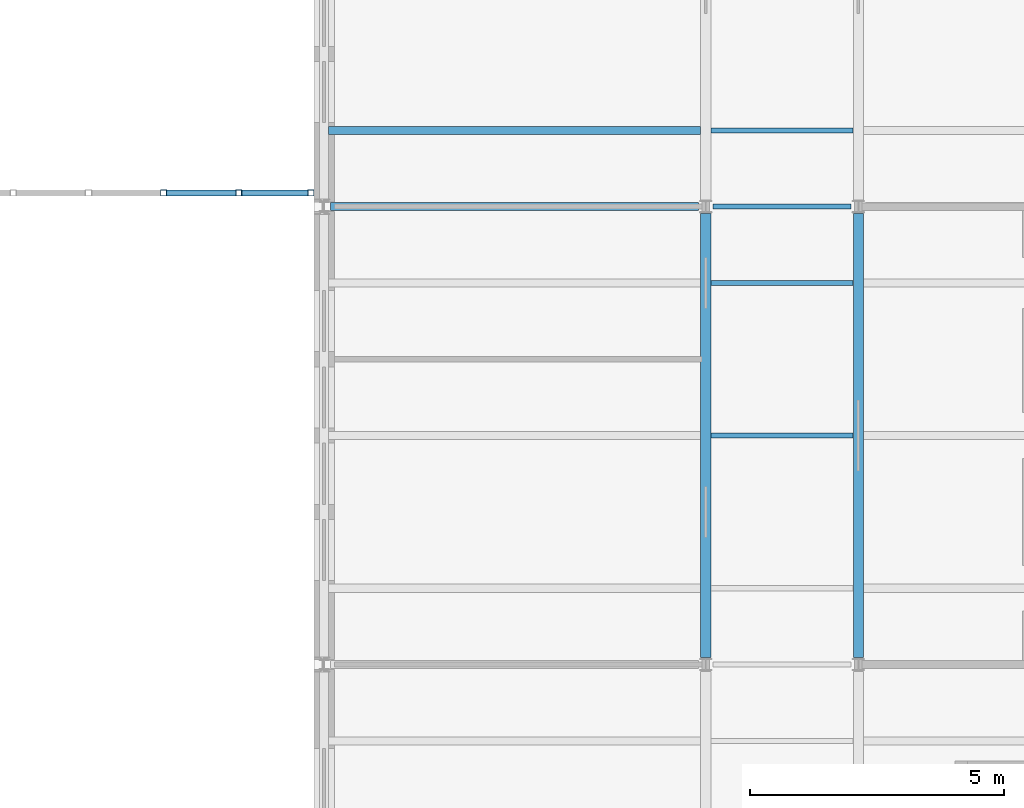
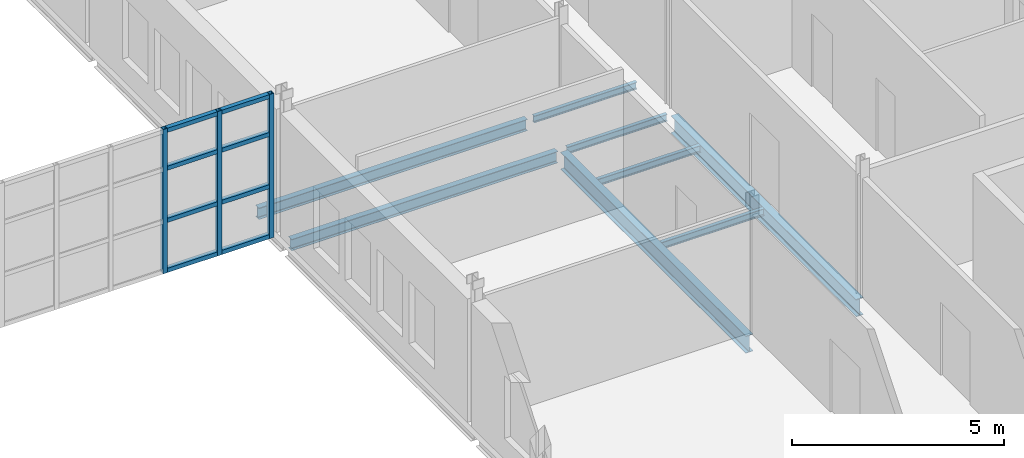
# One storey, part 28 of 154: 11 members, 8 beams, 1 element without a shape of its own.
"""IFC4 building model written with IfcOpenShell, lengths in metres."""

from ifc_helpers import new_model, si_unit, direction, frame, origin, origin_2d, place, context, subcontext, project, spatial, hollow_rectangle, i_section, extrude, material, material_profile, profile_set, type_object, element, aggregate, save


model = new_model("IFC4")

# Units and contexts
model_context = context("Model", 3, precision=1e-05, world=origin(), true_north=direction((0.0, 1.0)))
body_context = subcontext(model_context, "Body", "Model", "MODEL_VIEW")
ifc_project = project(units=[si_unit("LENGTHUNIT", "METRE"), si_unit("AREAUNIT", "SQUARE_METRE"), si_unit("VOLUMEUNIT", "CUBIC_METRE"), si_unit("PLANEANGLEUNIT", "RADIAN"), si_unit("MASSUNIT", "GRAM", prefix="KILO")], contexts=[model_context])

# Site, building, storey
site_placement = place(None, origin())
site = spatial("IfcSite", under=ifc_project, at=site_placement, CompositionType="ELEMENT")
building_placement = place(site_placement, origin())
building = spatial("IfcBuilding", under=site, at=building_placement, Name="Golden Quay Civic Hall", CompositionType="ELEMENT")
storey_placement = place(building_placement, frame((0.0, 0.0, 14.39990234375)))
storey = spatial("IfcBuildingStorey", under=building, at=storey_placement, Name="L03", CompositionType="ELEMENT", Elevation=14.39990234375)

# Curtain wall, members
ifc_material_1 = material(Name="Fire-resisting glass and steel", Category="steel")
curtain_wall_type = type_object("IfcCurtainWallType", Name="Fire-resisting glazed curtain wall EI 120", PredefinedType="NOTDEFINED", material=ifc_material_1)
curtain_wall_placement = place(storey_placement, origin())
curtain_wall = element("IfcCurtainWall", 1, at=curtain_wall_placement, inside=storey, type_object=curtain_wall_type, Name="CW3 curtain wall", PredefinedType="NOTDEFINED")
ifc_material_2 = material(Name="Steel S355", Category="steel")
ifc_material_profile_1 = material_profile(ifc_material_2, hollow_rectangle(XDim=0.1201171875, YDim=0.1201171875, WallThickness=0.008056640625, at=origin_2d()), Name="SHS 120x120x8")
ifc_profile_set_1 = profile_set([ifc_material_profile_1], Name="Steel S355")
member_type_1 = type_object("IfcMemberType", Name="Fire-resisting steel mullion SHS 120x120x8", PredefinedType="MULLION", material=ifc_profile_set_1)
member_1_placement = place(storey_placement, frame((95.844482421875, 18.27001953125, -0.199951171875), z_axis=(0.0, 0.0, 1.0), x_axis=(0.0, 1.0, 0.0)))
member_1 = element("IfcMember", 2, at=member_1_placement, type_object=member_type_1, Name="CW3 mullion 17", PredefinedType="MULLION", context=body_context, shape_type="SweptSolid", body=[
    extrude(hollow_rectangle(XDim=0.1201171875, YDim=0.1201171875, WallThickness=0.008056640625, at=origin_2d()), origin(), (0.0, 0.0, 1.0), 4.150146484375),
])
member_2_placement = place(storey_placement, frame((97.322265625, 18.27001953125, -0.199951171875), z_axis=(0.0, 0.0, 1.0), x_axis=(0.0, 1.0, 0.0)))
member_2 = element("IfcMember", 3, at=member_2_placement, type_object=member_type_1, Name="CW3 mullion 18", PredefinedType="MULLION", context=body_context, shape_type="SweptSolid", body=[
    extrude(hollow_rectangle(XDim=0.1201171875, YDim=0.1201171875, WallThickness=0.008056640625, at=origin_2d()), origin(), (0.0, 0.0, 1.0), 4.150146484375),
])
member_3_placement = place(storey_placement, frame((98.739990234375, 18.27001953125, -0.199951171875), z_axis=(0.0, 0.0, 1.0), x_axis=(0.0, 1.0, 0.0)))
member_3 = element("IfcMember", 4, at=member_3_placement, type_object=member_type_1, Name="CW3 mullion 19", PredefinedType="MULLION", context=body_context, shape_type="SweptSolid", body=[
    extrude(hollow_rectangle(XDim=0.1201171875, YDim=0.1201171875, WallThickness=0.008056640625, at=origin_2d()), origin(), (0.0, 0.0, 1.0), 4.150146484375),
])
ifc_material_3 = material(Name="Steel S355", Category="steel")
ifc_material_profile_2 = material_profile(ifc_material_3, hollow_rectangle(XDim=0.1201171875, YDim=0.1201171875, WallThickness=0.008056640625, at=origin_2d()), Name="SHS 120x120x8")
ifc_profile_set_2 = profile_set([ifc_material_profile_2], Name="Steel S355")
member_type_2 = type_object("IfcMemberType", Name="Fire-resisting steel transom SHS 120x120x8", PredefinedType="USERDEFINED", material=ifc_profile_set_2)
member_4_placement = place(storey_placement, frame((95.904541015625, 18.27001953125, -0.139892578125), z_axis=(1.0, 0.0, 0.0), x_axis=(0.0, 1.0, 0.0)))
member_4 = element("IfcMember", 5, at=member_4_placement, type_object=member_type_2, Name="CW3 transom 17.1", ObjectType="TRANSOM", PredefinedType="USERDEFINED", context=body_context, shape_type="SweptSolid", body=[
    extrude(hollow_rectangle(XDim=0.1201171875, YDim=0.1201171875, WallThickness=0.008056640625, at=origin_2d()), origin(), (0.0, 0.0, 1.0), 1.357666015625),
])
member_5_placement = place(storey_placement, frame((95.904541015625, 18.27001953125, 1.300048828125), z_axis=(1.0, 0.0, 0.0), x_axis=(0.0, 1.0, 0.0)))
member_5 = element("IfcMember", 6, at=member_5_placement, type_object=member_type_2, Name="CW3 transom 17.2", ObjectType="TRANSOM", PredefinedType="USERDEFINED", context=body_context, shape_type="SweptSolid", body=[
    extrude(hollow_rectangle(XDim=0.1201171875, YDim=0.1201171875, WallThickness=0.008056640625, at=origin_2d()), origin(), (0.0, 0.0, 1.0), 1.357666015625),
])
member_6_placement = place(storey_placement, frame((95.904541015625, 18.27001953125, 2.800048828125), z_axis=(1.0, 0.0, 0.0), x_axis=(0.0, 1.0, 0.0)))
member_6 = element("IfcMember", 7, at=member_6_placement, type_object=member_type_2, Name="CW3 transom 17.3", ObjectType="TRANSOM", PredefinedType="USERDEFINED", context=body_context, shape_type="SweptSolid", body=[
    extrude(hollow_rectangle(XDim=0.1201171875, YDim=0.1201171875, WallThickness=0.008056640625, at=origin_2d()), origin(), (0.0, 0.0, 1.0), 1.357666015625),
])
member_7_placement = place(storey_placement, frame((95.904541015625, 18.27001953125, 3.89013671875), z_axis=(1.0, 0.0, 0.0), x_axis=(0.0, 1.0, 0.0)))
member_7 = element("IfcMember", 8, at=member_7_placement, type_object=member_type_2, Name="CW3 transom 17.4", ObjectType="TRANSOM", PredefinedType="USERDEFINED", context=body_context, shape_type="SweptSolid", body=[
    extrude(hollow_rectangle(XDim=0.1201171875, YDim=0.1201171875, WallThickness=0.008056640625, at=origin_2d()), origin(), (0.0, 0.0, 1.0), 1.357666015625),
])
member_8_placement = place(storey_placement, frame((97.38232421875, 18.27001953125, -0.139892578125), z_axis=(1.0, 0.0, 0.0), x_axis=(0.0, 1.0, 0.0)))
member_8 = element("IfcMember", 9, at=member_8_placement, type_object=member_type_2, Name="CW3 transom 18.1", ObjectType="TRANSOM", PredefinedType="USERDEFINED", context=body_context, shape_type="SweptSolid", body=[
    extrude(hollow_rectangle(XDim=0.1201171875, YDim=0.1201171875, WallThickness=0.008056640625, at=origin_2d()), origin(), (0.0, 0.0, 1.0), 1.297607421875),
])
member_9_placement = place(storey_placement, frame((97.38232421875, 18.27001953125, 1.300048828125), z_axis=(1.0, 0.0, 0.0), x_axis=(0.0, 1.0, 0.0)))
member_9 = element("IfcMember", 10, at=member_9_placement, type_object=member_type_2, Name="CW3 transom 18.2", ObjectType="TRANSOM", PredefinedType="USERDEFINED", context=body_context, shape_type="SweptSolid", body=[
    extrude(hollow_rectangle(XDim=0.1201171875, YDim=0.1201171875, WallThickness=0.008056640625, at=origin_2d()), origin(), (0.0, 0.0, 1.0), 1.297607421875),
])
member_10_placement = place(storey_placement, frame((97.38232421875, 18.27001953125, 2.800048828125), z_axis=(1.0, 0.0, 0.0), x_axis=(0.0, 1.0, 0.0)))
member_10 = element("IfcMember", 11, at=member_10_placement, type_object=member_type_2, Name="CW3 transom 18.3", ObjectType="TRANSOM", PredefinedType="USERDEFINED", context=body_context, shape_type="SweptSolid", body=[
    extrude(hollow_rectangle(XDim=0.1201171875, YDim=0.1201171875, WallThickness=0.008056640625, at=origin_2d()), origin(), (0.0, 0.0, 1.0), 1.297607421875),
])
member_11_placement = place(storey_placement, frame((97.38232421875, 18.27001953125, 3.89013671875), z_axis=(1.0, 0.0, 0.0), x_axis=(0.0, 1.0, 0.0)))
member_11 = element("IfcMember", 12, at=member_11_placement, type_object=member_type_2, Name="CW3 transom 18.4", ObjectType="TRANSOM", PredefinedType="USERDEFINED", context=body_context, shape_type="SweptSolid", body=[
    extrude(hollow_rectangle(XDim=0.1201171875, YDim=0.1201171875, WallThickness=0.008056640625, at=origin_2d()), origin(), (0.0, 0.0, 1.0), 1.297607421875),
])
aggregate(curtain_wall, [member_1, member_2, member_3, member_4, member_5, member_6, member_7, member_8, member_9, member_10, member_11])

# Beams
ifc_material_4 = material(Name="Steel S355", Category="steel")
ifc_material_profile_3 = material_profile(ifc_material_4, i_section(OverallWidth=0.10009765625, OverallDepth=0.199951171875, WebThickness=0.005615234375, FlangeThickness=0.008544921875, FilletRadius=0.011962890625, at=origin_2d()), Name="IPE 200")
ifc_profile_set_3 = profile_set([ifc_material_profile_3], Name="Steel S355")
beam_type_1 = type_object("IfcBeamType", Name="Steel beam IPE 200", PredefinedType="BEAM", material=ifc_profile_set_3)
beam_1_placement = place(storey_placement, frame((106.639892578125, 18.0, -0.2998046875), z_axis=(1.0, 0.0, 0.0), x_axis=(0.0, 1.0, 0.0)))
element("IfcBeam", 13, at=beam_1_placement, inside=storey, type_object=beam_type_1, Name="Beam S18-106.5", PredefinedType="BEAM", context=body_context, shape_type="SweptSolid", body=[
    extrude(i_section(OverallWidth=0.10009765625, OverallDepth=0.199951171875, WebThickness=0.005615234375, FlangeThickness=0.008544921875, FilletRadius=0.011962890625, at=origin_2d()), origin(), (0.0, 0.0, 1.0), 2.72021484375),
])
ifc_material_5 = material(Name="Steel S355", Category="steel")
ifc_material_profile_4 = material_profile(ifc_material_5, i_section(OverallWidth=0.159912109375, OverallDepth=0.330078125, WebThickness=0.007568359375, FlangeThickness=0.011474609375, FilletRadius=0.01806640625, at=origin_2d()), Name="IPE 330")
ifc_profile_set_4 = profile_set([ifc_material_profile_4], Name="Steel S355")
beam_type_2 = type_object("IfcBeamType", Name="Steel beam IPE 330", PredefinedType="BEAM", material=ifc_profile_set_4)
beam_2_placement = place(storey_placement, frame((99.1201171875, 18.0, -0.364990234375), z_axis=(1.0, 0.0, 0.0), x_axis=(0.0, 1.0, 0.0)))
element("IfcBeam", 14, at=beam_2_placement, inside=storey, type_object=beam_type_2, Name="Beam S18-99", PredefinedType="BEAM", context=body_context, shape_type="SweptSolid", body=[
    extrude(i_section(OverallWidth=0.159912109375, OverallDepth=0.330078125, WebThickness=0.007568359375, FlangeThickness=0.011474609375, FilletRadius=0.01806640625, at=origin_2d()), origin(), (0.0, 0.0, 1.0), 7.239990234375),
])
ifc_material_6 = material(Name="Steel S355", Category="steel")
ifc_material_profile_5 = material_profile(ifc_material_6, i_section(OverallWidth=0.199951171875, OverallDepth=0.5, WebThickness=0.01025390625, FlangeThickness=0.01611328125, FilletRadius=0.02099609375, at=origin_2d()), Name="IPE 500")
ifc_profile_set_5 = profile_set([ifc_material_profile_5], Name="Steel S355")
beam_type_3 = type_object("IfcBeamType", Name="Steel beam IPE 500", PredefinedType="BEAM", material=ifc_profile_set_5)
for number, where, z_axis, x_axis, name in (
    (15, (106.5, 9.135009765625, -0.449951171875), (0.0, 1.0, 0.0), (-1.0, 0.0, 0.0), "Beam L106.5-9"),
    (16, (109.5, 9.135009765625, -0.449951171875), (0.0, 1.0, 0.0), (-1.0, 0.0, 0.0), "Beam L109.5-9"),
):
    element("IfcBeam", number, at=place(storey_placement, frame(where, z_axis=z_axis, x_axis=x_axis)), inside=storey, type_object=beam_type_3, Name=name, PredefinedType="BEAM", context=body_context, shape_type="SweptSolid", body=[
        extrude(i_section(OverallWidth=0.199951171875, OverallDepth=0.5, WebThickness=0.01025390625, FlangeThickness=0.01611328125, FilletRadius=0.02099609375, at=origin_2d()), origin(), (0.0, 0.0, 1.0), 8.72998046875),
    ])
ifc_material_7 = material(Name="Steel S355", Category="steel")
ifc_material_profile_6 = material_profile(ifc_material_7, i_section(OverallWidth=0.10009765625, OverallDepth=0.199951171875, WebThickness=0.005615234375, FlangeThickness=0.008544921875, FilletRadius=0.011962890625, at=origin_2d()), Name="IPE 200")
ifc_profile_set_6 = profile_set([ifc_material_profile_6], Name="Steel S355")
beam_type_4 = type_object("IfcBeamType", Name="Steel joist IPE 200", PredefinedType="JOIST", material=ifc_profile_set_6)
for number, where, z_axis, x_axis, name in (
    (17, (106.60009765625, 13.5, -0.2998046875), (1.0, 0.0, 0.0), (0.0, 1.0, 0.0), "Joist J13.5-106.5"),
    (18, (106.60009765625, 16.5, -0.2998046875), (1.0, 0.0, 0.0), (0.0, 1.0, 0.0), "Joist J16.5-106.5"),
    (19, (106.60009765625, 19.5, -0.2998046875), (1.0, 0.0, 0.0), (0.0, 1.0, 0.0), "Joist J19.5-106.5"),
):
    element("IfcBeam", number, at=place(storey_placement, frame(where, z_axis=z_axis, x_axis=x_axis)), inside=storey, type_object=beam_type_4, Name=name, PredefinedType="JOIST", context=body_context, shape_type="SweptSolid", body=[
        extrude(i_section(OverallWidth=0.10009765625, OverallDepth=0.199951171875, WebThickness=0.005615234375, FlangeThickness=0.008544921875, FilletRadius=0.011962890625, at=origin_2d()), origin(), (0.0, 0.0, 1.0), 2.7998046875),
    ])
ifc_material_8 = material(Name="Steel S355", Category="steel")
ifc_material_profile_7 = material_profile(ifc_material_8, i_section(OverallWidth=0.159912109375, OverallDepth=0.330078125, WebThickness=0.007568359375, FlangeThickness=0.011474609375, FilletRadius=0.01806640625, at=origin_2d()), Name="IPE 330")
ifc_profile_set_7 = profile_set([ifc_material_profile_7], Name="Steel S355")
beam_type_5 = type_object("IfcBeamType", Name="Steel joist IPE 330", PredefinedType="JOIST", material=ifc_profile_set_7)
beam_3_placement = place(storey_placement, frame((99.090087890625, 19.5, -0.364990234375), z_axis=(1.0, 0.0, 0.0), x_axis=(0.0, 1.0, 0.0)))
element("IfcBeam", 20, at=beam_3_placement, inside=storey, type_object=beam_type_5, Name="Joist J19.5-99", PredefinedType="JOIST", context=body_context, shape_type="SweptSolid", body=[
    extrude(i_section(OverallWidth=0.159912109375, OverallDepth=0.330078125, WebThickness=0.007568359375, FlangeThickness=0.011474609375, FilletRadius=0.01806640625, at=origin_2d()), origin(), (0.0, 0.0, 1.0), 7.309814453125),
])

save(model, "model.ifc")
